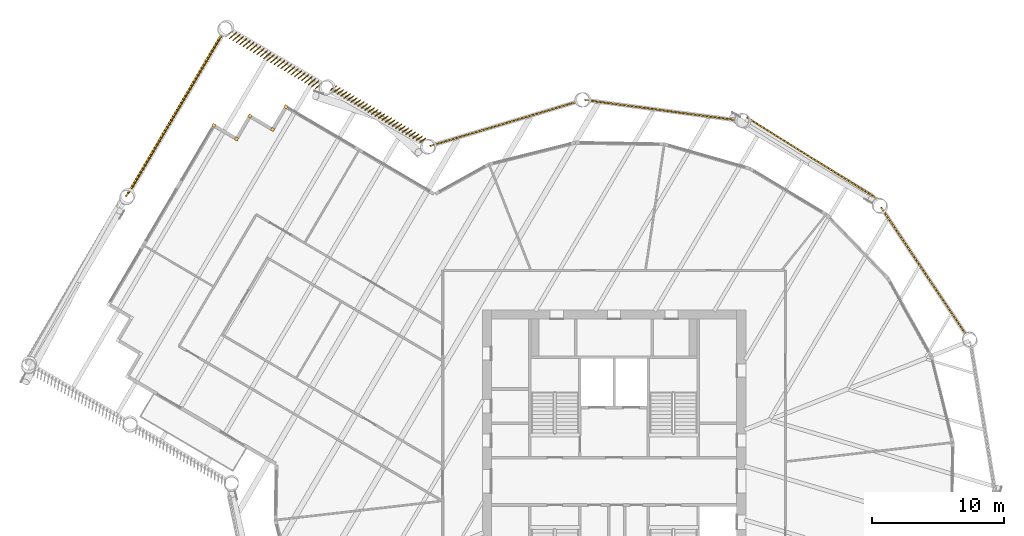
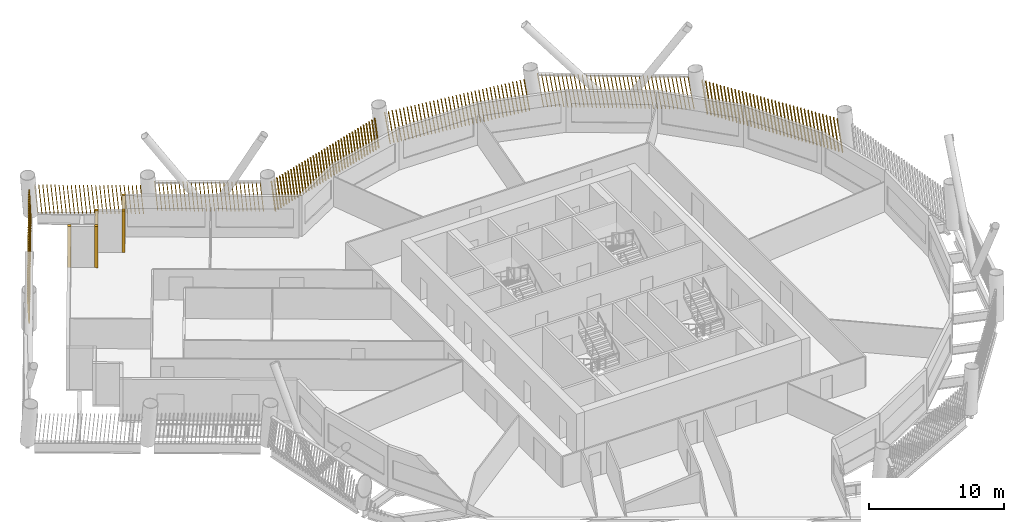
# One storey, part 22 of 23: 12 shading devices.
"""IFC4 building model written with IfcOpenShell, lengths in metres."""

import ifcopenshell
import ifcopenshell.guid

model = None  # the IFC model being written
_history = None  # IfcOwnerHistory: only IFC2X3 demands one
_inside = {}  # id of a spatial element -> (the spatial element, [elements in it])
_under = {}  # id of a project, library or spatial element -> (it, [spatial elements below it])
_declared = {}  # id of a project -> (the project, [libraries it declares])
_typed = {}  # id of a type object -> (the type object, [elements of that type])
_made_of = {}  # id of a material, layer set ... -> (it, [elements and type objects made of it])


def new_model(schema):
    """Start an empty IFC model of exactly this schema.

    Asked for "IFC4X3", IfcOpenShell would pick the latest addendum, in which some entities
    have other attributes; the version numbers below select the first issue.
    IFC2X3 requires an IfcOwnerHistory on every rooted entity: one is made here for all.
    """
    global model, _history
    if schema == "IFC4X3":
        model = ifcopenshell.file(schema_version=(4, 3, 0, 0))
    else:
        model = ifcopenshell.file(schema=schema)
    _inside.clear()
    _under.clear()
    _declared.clear()
    _typed.clear()
    _made_of.clear()
    _history = None
    if model.schema == "IFC2X3":
        org = make("IfcOrganization", Name="unknown")
        user = make(
            "IfcPersonAndOrganization",
            ThePerson=make("IfcPerson", FamilyName="unknown"),
            TheOrganization=org,
        )
        app = make(
            "IfcApplication",
            ApplicationDeveloper=org,
            Version="unknown",
            ApplicationFullName="unknown",
            ApplicationIdentifier="unknown",
        )
        _history = make(
            "IfcOwnerHistory",
            OwningUser=user,
            OwningApplication=app,
            ChangeAction="ADDED",
            CreationDate=0,
        )
    return model


def make(cls, **values):
    """One entity of the class cls with the attributes given. An attribute that is None is left unset."""
    return model.create_entity(
        cls, **{name: value for name, value in values.items() if value is not None}
    )


def rooted(cls, **values):
    """An entity with a GlobalId (a new one), such as an element, a storey or a relation."""
    return make(cls, GlobalId=ifcopenshell.guid.new(), OwnerHistory=_history, **values)


def si_unit(unit_type, name, prefix=None):
    """IfcSIUnit, for example si_unit("LENGTHUNIT", "METRE", prefix="MILLI")."""
    return make("IfcSIUnit", UnitType=unit_type, Prefix=prefix, Name=name)


def assignment(units):
    """IfcUnitAssignment: the units of a project."""
    return None if units is None else make("IfcUnitAssignment", Units=units)


def point(xyz):
    """IfcCartesianPoint."""
    return None if xyz is None else make("IfcCartesianPoint", Coordinates=xyz)


def direction(xyz):
    """IfcDirection."""
    return None if xyz is None else make("IfcDirection", DirectionRatios=xyz)


def frame(location, z_axis=None, x_axis=None):
    """IfcAxis2Placement3D, a coordinate frame: its origin and axes. An axis left out is left unset."""
    return make(
        "IfcAxis2Placement3D",
        Location=point(location),
        Axis=direction(z_axis),
        RefDirection=direction(x_axis),
    )


def frame_2d(location, x_axis=None):
    """IfcAxis2Placement2D, a coordinate frame in the plane: its origin and x axis."""
    return make(
        "IfcAxis2Placement2D", Location=point(location), RefDirection=direction(x_axis)
    )


def origin():
    """The frame at (0, 0, 0) with its axes left unset."""
    return frame((0.0, 0.0, 0.0))


def origin_2d():
    """The frame at (0, 0) in the plane with its x axis left unset."""
    return frame_2d((0.0, 0.0))


def place(relative_to, where):
    """IfcLocalPlacement: puts the frame where relative to a parent placement (None: the world)."""
    return make(
        "IfcLocalPlacement", PlacementRelTo=relative_to, RelativePlacement=where
    )


def context(
    kind, dimensions, precision=None, world=None, true_north=None, identifier=None
):
    """IfcGeometricRepresentationContext, for example the 3D "Model" context."""
    return make(
        "IfcGeometricRepresentationContext",
        ContextIdentifier=identifier,
        ContextType=kind,
        CoordinateSpaceDimension=dimensions,
        Precision=precision,
        WorldCoordinateSystem=world,
        TrueNorth=true_north,
    )


def subcontext(parent, identifier, kind, view, scale=None):
    """IfcGeometricRepresentationSubContext, for example "Body" below "Model"."""
    return make(
        "IfcGeometricRepresentationSubContext",
        ContextIdentifier=identifier,
        ContextType=kind,
        ParentContext=parent,
        TargetScale=scale,
        TargetView=view,
    )


def project(units=None, contexts=None):
    """IfcProject with its units and contexts."""
    return rooted(
        "IfcProject",
        Name="project",
        RepresentationContexts=contexts,
        UnitsInContext=assignment(units),
    )


def spatial(cls, under=None, at=None, **own):
    """A site, building, storey or space (cls), placed at a placement, below another one or the project."""
    s = rooted(cls, ObjectPlacement=at, **own)
    if under is not None:
        _under.setdefault(under.id(), (under, []))[1].append(s)
    return s


def profile(cls, at=None, kind="AREA", **sizes):
    """A parametric profile (cls). Its sizes go by their IFC names, for example OverallWidth=200.0."""
    return make(cls, ProfileType=kind, Position=at, **sizes)


def rectangle(**sizes):
    """IfcRectangleProfileDef."""
    return profile("IfcRectangleProfileDef", **sizes)


def composite_profile(profiles, kind="AREA"):
    """IfcCompositeProfileDef: several profiles as one."""
    return make("IfcCompositeProfileDef", ProfileType=kind, Profiles=profiles)


def extrude(swept, where, along, depth):
    """IfcExtrudedAreaSolid: the profile swept, set in the frame where, extruded along a direction by depth."""
    return make(
        "IfcExtrudedAreaSolid",
        SweptArea=swept,
        Position=where,
        ExtrudedDirection=direction(along),
        Depth=depth,
    )


def shape(context_of_items, identifier, shape_type, items):
    """IfcShapeRepresentation: the items that make up one representation, for example the "Body"."""
    return make(
        "IfcShapeRepresentation",
        ContextOfItems=context_of_items,
        RepresentationIdentifier=identifier,
        RepresentationType=shape_type,
        Items=items,
    )


def material(Name=None, Category=None):
    """IfcMaterial."""
    return make("IfcMaterial", Name=Name, Category=Category)


def made_of(thing, what):
    """Note that an element or type object is made of a material, layer set ...; save() writes the relation."""
    if what is not None:
        _made_of.setdefault(what.id(), (what, []))[1].append(thing)
    return thing


def type_object(cls, material=None, **own):
    """A type object (cls), such as IfcWallType, which elements share."""
    return made_of(rooted(cls, **own), material)


def element(
    cls,
    number,
    at=None,
    inside=None,
    cuts=None,
    type_object=None,
    material=None,
    context=None,
    identifier="Body",
    shape_type=None,
    held_by="IfcProductDefinitionShape",
    body=None,
    shapes=None,
    **own,
):
    """One element of the class cls, such as IfcWall. Its Tag is "e" and its number.

    at: its placement. inside: the storey or other place that contains it. cuts: it is an
    opening in that element (IfcRelVoidsElement). A single representation is given by context,
    identifier, shape_type and body (its items); several are given by shapes. held_by: the class
    of the entity that holds the representations. save() writes the other relations.
    """
    e = rooted(cls, Tag="e%d" % number, ObjectPlacement=at, **own)
    if body is not None:
        shapes = [shape(context, identifier, shape_type, body)]
    if shapes is not None:
        e.Representation = make(held_by, Representations=shapes)
    if inside is not None:
        _inside.setdefault(inside.id(), (inside, []))[1].append(e)
    if cuts is not None:
        rooted(
            "IfcRelVoidsElement", RelatingBuildingElement=cuts, RelatedOpeningElement=e
        )
    if type_object is not None:
        _typed.setdefault(type_object.id(), (type_object, []))[1].append(e)
    return made_of(e, material)


def aggregate(whole, parts):
    """IfcRelAggregates: a whole, such as a stair, and the parts it consists of."""
    return rooted("IfcRelAggregates", RelatingObject=whole, RelatedObjects=parts)


def save(model, path):
    """Write the relations noted so far, then the file.

    IfcRelAggregates (storeys below a building ...), IfcRelContainedInSpatialStructure (elements
    in a storey), IfcRelDefinesByType, IfcRelAssociatesMaterial and IfcRelDeclares: one each for
    every whole, place, type object, material and project.
    """
    for whole, parts in _under.values():
        aggregate(whole, parts)
    for where, things in _inside.values():
        rooted(
            "IfcRelContainedInSpatialStructure",
            RelatedElements=things,
            RelatingStructure=where,
        )
    for kind, things in _typed.values():
        rooted("IfcRelDefinesByType", RelatedObjects=things, RelatingType=kind)
    for what, things in _made_of.values():
        rooted("IfcRelAssociatesMaterial", RelatedObjects=things, RelatingMaterial=what)
    for by, libraries in _declared.values():
        rooted("IfcRelDeclares", RelatingContext=by, RelatedDefinitions=libraries)
    model.write(path)


model = new_model("IFC4")

# Units and contexts
model_context = context("Model", 3, precision=1e-05, world=origin(), true_north=direction((0.0, 1.0)))
body_context = subcontext(model_context, "Body", "Model", "MODEL_VIEW")
ifc_project = project(units=[si_unit("LENGTHUNIT", "METRE"), si_unit("AREAUNIT", "SQUARE_METRE"), si_unit("VOLUMEUNIT", "CUBIC_METRE"), si_unit("PLANEANGLEUNIT", "RADIAN"), si_unit("MASSUNIT", "GRAM", prefix="KILO")], contexts=[model_context])

# Site, building, storey
site_placement = place(None, origin())
site = spatial("IfcSite", under=ifc_project, at=site_placement, CompositionType="ELEMENT")
building_placement = place(site_placement, origin())
building = spatial("IfcBuilding", under=site, at=building_placement, Name="Tarsis Ring Headquarters", CompositionType="ELEMENT")
storey_placement = place(building_placement, frame((0.0, 0.0, 155.39990234375)))
storey = spatial("IfcBuildingStorey", under=building, at=storey_placement, Name="L35", CompositionType="ELEMENT", Elevation=155.39990234375)

# Shading devices
ifc_material = material(Name="Terracotta baguette", Category="masonry")
shading_device_type_1 = type_object("IfcShadingDeviceType", Name="Terracotta baguette screen", PredefinedType="USERDEFINED", material=ifc_material)
shading_device_1_placement = place(storey_placement, frame((26.7421875, 11.0810546875, 0.0), z_axis=(0.0, 0.0, 1.0), x_axis=(-0.554996093411, 0.831843041931, 0.0)))
element("IfcShadingDevice", 1, at=shading_device_1_placement, inside=storey, type_object=shading_device_type_1, Name="Baguette screen L35-11", ObjectType="Terracotta baguette screen", PredefinedType="USERDEFINED", context=body_context, shape_type="SweptSolid", body=[
    extrude(composite_profile([rectangle(XDim=0.06005859375, YDim=0.1201171875, at=frame_2d((0.030029296875, 0.0))), rectangle(XDim=0.06005859375, YDim=0.1201171875, at=frame_2d((0.33251953125, 0.0))), rectangle(XDim=0.06005859375, YDim=0.1201171875, at=frame_2d((0.634765625, 0.0))), rectangle(XDim=0.06005859375, YDim=0.1201171875, at=frame_2d((0.937255859375, 0.0))), rectangle(XDim=0.06005859375, YDim=0.1201171875, at=frame_2d((1.239501953125, 0.0))), rectangle(XDim=0.06005859375, YDim=0.1201171875, at=frame_2d((1.5419921875, 0.0))), rectangle(XDim=0.06005859375, YDim=0.1201171875, at=frame_2d((1.844482421875, 0.0))), rectangle(XDim=0.06005859375, YDim=0.1201171875, at=frame_2d((2.146728515625, 0.0))), rectangle(XDim=0.06005859375, YDim=0.1201171875, at=frame_2d((2.44921875, 0.0))), rectangle(XDim=0.06005859375, YDim=0.1201171875, at=frame_2d((2.751708984375, 0.0))), rectangle(XDim=0.06005859375, YDim=0.1201171875, at=frame_2d((3.053955078125, 0.0))), rectangle(XDim=0.06005859375, YDim=0.1201171875, at=frame_2d((3.3564453125, 0.0))), rectangle(XDim=0.06005859375, YDim=0.1201171875, at=frame_2d((3.65869140625, 0.0))), rectangle(XDim=0.06005859375, YDim=0.1201171875, at=frame_2d((3.961181640625, 0.0))), rectangle(XDim=0.06005859375, YDim=0.1201171875, at=frame_2d((4.263671875, 0.0))), rectangle(XDim=0.06005859375, YDim=0.1201171875, at=frame_2d((4.56591796875, 0.0))), rectangle(XDim=0.06005859375, YDim=0.1201171875, at=frame_2d((4.868408203125, 0.0))), rectangle(XDim=0.06005859375, YDim=0.1201171875, at=frame_2d((5.1708984375, 0.0))), rectangle(XDim=0.06005859375, YDim=0.1201171875, at=frame_2d((5.47314453125, 0.0))), rectangle(XDim=0.06005859375, YDim=0.1201171875, at=frame_2d((5.775634765625, 0.0))), rectangle(XDim=0.06005859375, YDim=0.1201171875, at=frame_2d((6.077880859375, 0.0))), rectangle(XDim=0.06005859375, YDim=0.1201171875, at=frame_2d((6.38037109375, 0.0))), rectangle(XDim=0.06005859375, YDim=0.1201171875, at=frame_2d((6.682861328125, 0.0))), rectangle(XDim=0.06005859375, YDim=0.1201171875, at=frame_2d((6.985107421875, 0.0))), rectangle(XDim=0.06005859375, YDim=0.1201171875, at=frame_2d((7.28759765625, 0.0))), rectangle(XDim=0.06005859375, YDim=0.1201171875, at=frame_2d((7.590087890625, 0.0))), rectangle(XDim=0.06005859375, YDim=0.1201171875, at=frame_2d((7.892333984375, 0.0))), rectangle(XDim=0.06005859375, YDim=0.1201171875, at=frame_2d((8.19482421875, 0.0))), rectangle(XDim=0.06005859375, YDim=0.1201171875, at=frame_2d((8.4970703125, 0.0))), rectangle(XDim=0.06005859375, YDim=0.1201171875, at=frame_2d((8.799560546875, 0.0))), rectangle(XDim=0.06005859375, YDim=0.1201171875, at=frame_2d((9.10205078125, 0.0))), rectangle(XDim=0.06005859375, YDim=0.1201171875, at=frame_2d((9.404296875, 0.0))), rectangle(XDim=0.06005859375, YDim=0.1201171875, at=frame_2d((9.706787109375, 0.0))), rectangle(XDim=0.06005859375, YDim=0.1201171875, at=frame_2d((10.00927734375, 0.0))), rectangle(XDim=0.06005859375, YDim=0.1201171875, at=frame_2d((10.3115234375, 0.0))), rectangle(XDim=0.06005859375, YDim=0.1201171875, at=frame_2d((10.614013671875, 0.0))), rectangle(XDim=0.06005859375, YDim=0.1201171875, at=frame_2d((10.916259765625, 0.0))), rectangle(XDim=0.06005859375, YDim=0.1201171875, at=frame_2d((11.21875, 0.0)))]), origin(), (0.149482462956, 0.001175602874, 0.988763678149), 2.983642578125),
])
shading_device_2_placement = place(storey_placement, frame((19.995849609375, 21.43701171875, 0.0), z_axis=(0.0, 0.0, 1.0), x_axis=(-0.848532858755, 0.529125792169, 0.0)))
element("IfcShadingDevice", 2, at=shading_device_2_placement, inside=storey, type_object=shading_device_type_1, Name="Baguette screen L35-12", ObjectType="Terracotta baguette screen", PredefinedType="USERDEFINED", context=body_context, shape_type="SweptSolid", body=[
    extrude(composite_profile([rectangle(XDim=0.06005859375, YDim=0.1201171875, at=frame_2d((0.030029296875, 0.0))), rectangle(XDim=0.06005859375, YDim=0.1201171875, at=frame_2d((0.33251953125, 0.0))), rectangle(XDim=0.06005859375, YDim=0.1201171875, at=frame_2d((0.634765625, 0.0))), rectangle(XDim=0.06005859375, YDim=0.1201171875, at=frame_2d((0.937255859375, 0.0))), rectangle(XDim=0.06005859375, YDim=0.1201171875, at=frame_2d((1.239501953125, 0.0))), rectangle(XDim=0.06005859375, YDim=0.1201171875, at=frame_2d((1.5419921875, 0.0))), rectangle(XDim=0.06005859375, YDim=0.1201171875, at=frame_2d((1.844482421875, 0.0))), rectangle(XDim=0.06005859375, YDim=0.1201171875, at=frame_2d((2.146728515625, 0.0))), rectangle(XDim=0.06005859375, YDim=0.1201171875, at=frame_2d((2.44921875, 0.0))), rectangle(XDim=0.06005859375, YDim=0.1201171875, at=frame_2d((2.751708984375, 0.0))), rectangle(XDim=0.06005859375, YDim=0.1201171875, at=frame_2d((3.053955078125, 0.0))), rectangle(XDim=0.06005859375, YDim=0.1201171875, at=frame_2d((3.3564453125, 0.0))), rectangle(XDim=0.06005859375, YDim=0.1201171875, at=frame_2d((3.65869140625, 0.0))), rectangle(XDim=0.06005859375, YDim=0.1201171875, at=frame_2d((3.961181640625, 0.0))), rectangle(XDim=0.06005859375, YDim=0.1201171875, at=frame_2d((4.263671875, 0.0))), rectangle(XDim=0.06005859375, YDim=0.1201171875, at=frame_2d((4.56591796875, 0.0))), rectangle(XDim=0.06005859375, YDim=0.1201171875, at=frame_2d((4.868408203125, 0.0))), rectangle(XDim=0.06005859375, YDim=0.1201171875, at=frame_2d((5.1708984375, 0.0))), rectangle(XDim=0.06005859375, YDim=0.1201171875, at=frame_2d((5.47314453125, 0.0))), rectangle(XDim=0.06005859375, YDim=0.1201171875, at=frame_2d((5.775634765625, 0.0))), rectangle(XDim=0.06005859375, YDim=0.1201171875, at=frame_2d((6.077880859375, 0.0))), rectangle(XDim=0.06005859375, YDim=0.1201171875, at=frame_2d((6.38037109375, 0.0))), rectangle(XDim=0.06005859375, YDim=0.1201171875, at=frame_2d((6.682861328125, 0.0))), rectangle(XDim=0.06005859375, YDim=0.1201171875, at=frame_2d((6.985107421875, 0.0))), rectangle(XDim=0.06005859375, YDim=0.1201171875, at=frame_2d((7.28759765625, 0.0))), rectangle(XDim=0.06005859375, YDim=0.1201171875, at=frame_2d((7.590087890625, 0.0))), rectangle(XDim=0.06005859375, YDim=0.1201171875, at=frame_2d((7.892333984375, 0.0))), rectangle(XDim=0.06005859375, YDim=0.1201171875, at=frame_2d((8.19482421875, 0.0))), rectangle(XDim=0.06005859375, YDim=0.1201171875, at=frame_2d((8.4970703125, 0.0))), rectangle(XDim=0.06005859375, YDim=0.1201171875, at=frame_2d((8.799560546875, 0.0))), rectangle(XDim=0.06005859375, YDim=0.1201171875, at=frame_2d((9.10205078125, 0.0))), rectangle(XDim=0.06005859375, YDim=0.1201171875, at=frame_2d((9.404296875, 0.0))), rectangle(XDim=0.06005859375, YDim=0.1201171875, at=frame_2d((9.706787109375, 0.0))), rectangle(XDim=0.06005859375, YDim=0.1201171875, at=frame_2d((10.00927734375, 0.0))), rectangle(XDim=0.06005859375, YDim=0.1201171875, at=frame_2d((10.3115234375, 0.0))), rectangle(XDim=0.06005859375, YDim=0.1201171875, at=frame_2d((10.614013671875, 0.0))), rectangle(XDim=0.06005859375, YDim=0.1201171875, at=frame_2d((10.916259765625, 0.0))), rectangle(XDim=0.06005859375, YDim=0.1201171875, at=frame_2d((11.21875, 0.0)))]), origin(), (0.151411379456, 0.001190520857, 0.988470119342), 2.984619140625),
])
shading_device_3_placement = place(storey_placement, frame((9.332275390625, 27.401611328125, 0.0), z_axis=(0.0, 0.0, 1.0), x_axis=(-0.991209983722, 0.132327726533, 0.0)))
element("IfcShadingDevice", 3, at=shading_device_3_placement, inside=storey, type_object=shading_device_type_1, Name="Baguette screen L35-13", ObjectType="Terracotta baguette screen", PredefinedType="USERDEFINED", context=body_context, shape_type="SweptSolid", body=[
    extrude(composite_profile([rectangle(XDim=0.06005859375, YDim=0.1201171875, at=frame_2d((0.030029296875, 0.0))), rectangle(XDim=0.06005859375, YDim=0.1201171875, at=frame_2d((0.33251953125, 0.0))), rectangle(XDim=0.06005859375, YDim=0.1201171875, at=frame_2d((0.634765625, 0.0))), rectangle(XDim=0.06005859375, YDim=0.1201171875, at=frame_2d((0.937255859375, 0.0))), rectangle(XDim=0.06005859375, YDim=0.1201171875, at=frame_2d((1.239501953125, 0.0))), rectangle(XDim=0.06005859375, YDim=0.1201171875, at=frame_2d((1.5419921875, 0.0))), rectangle(XDim=0.06005859375, YDim=0.1201171875, at=frame_2d((1.844482421875, 0.0))), rectangle(XDim=0.06005859375, YDim=0.1201171875, at=frame_2d((2.146728515625, 0.0))), rectangle(XDim=0.06005859375, YDim=0.1201171875, at=frame_2d((2.44921875, 0.0))), rectangle(XDim=0.06005859375, YDim=0.1201171875, at=frame_2d((2.751708984375, 0.0))), rectangle(XDim=0.06005859375, YDim=0.1201171875, at=frame_2d((3.053955078125, 0.0))), rectangle(XDim=0.06005859375, YDim=0.1201171875, at=frame_2d((3.3564453125, 0.0))), rectangle(XDim=0.06005859375, YDim=0.1201171875, at=frame_2d((3.65869140625, 0.0))), rectangle(XDim=0.06005859375, YDim=0.1201171875, at=frame_2d((3.961181640625, 0.0))), rectangle(XDim=0.06005859375, YDim=0.1201171875, at=frame_2d((4.263671875, 0.0))), rectangle(XDim=0.06005859375, YDim=0.1201171875, at=frame_2d((4.56591796875, 0.0))), rectangle(XDim=0.06005859375, YDim=0.1201171875, at=frame_2d((4.868408203125, 0.0))), rectangle(XDim=0.06005859375, YDim=0.1201171875, at=frame_2d((5.1708984375, 0.0))), rectangle(XDim=0.06005859375, YDim=0.1201171875, at=frame_2d((5.47314453125, 0.0))), rectangle(XDim=0.06005859375, YDim=0.1201171875, at=frame_2d((5.775634765625, 0.0))), rectangle(XDim=0.06005859375, YDim=0.1201171875, at=frame_2d((6.077880859375, 0.0))), rectangle(XDim=0.06005859375, YDim=0.1201171875, at=frame_2d((6.38037109375, 0.0))), rectangle(XDim=0.06005859375, YDim=0.1201171875, at=frame_2d((6.682861328125, 0.0))), rectangle(XDim=0.06005859375, YDim=0.1201171875, at=frame_2d((6.985107421875, 0.0))), rectangle(XDim=0.06005859375, YDim=0.1201171875, at=frame_2d((7.28759765625, 0.0))), rectangle(XDim=0.06005859375, YDim=0.1201171875, at=frame_2d((7.590087890625, 0.0))), rectangle(XDim=0.06005859375, YDim=0.1201171875, at=frame_2d((7.892333984375, 0.0))), rectangle(XDim=0.06005859375, YDim=0.1201171875, at=frame_2d((8.19482421875, 0.0))), rectangle(XDim=0.06005859375, YDim=0.1201171875, at=frame_2d((8.4970703125, 0.0))), rectangle(XDim=0.06005859375, YDim=0.1201171875, at=frame_2d((8.799560546875, 0.0))), rectangle(XDim=0.06005859375, YDim=0.1201171875, at=frame_2d((9.10205078125, 0.0))), rectangle(XDim=0.06005859375, YDim=0.1201171875, at=frame_2d((9.404296875, 0.0))), rectangle(XDim=0.06005859375, YDim=0.1201171875, at=frame_2d((9.706787109375, 0.0))), rectangle(XDim=0.06005859375, YDim=0.1201171875, at=frame_2d((10.00927734375, 0.0))), rectangle(XDim=0.06005859375, YDim=0.1201171875, at=frame_2d((10.3115234375, 0.0))), rectangle(XDim=0.06005859375, YDim=0.1201171875, at=frame_2d((10.614013671875, 0.0))), rectangle(XDim=0.06005859375, YDim=0.1201171875, at=frame_2d((10.916259765625, 0.0))), rectangle(XDim=0.06005859375, YDim=0.1201171875, at=frame_2d((11.21875, 0.0)))]), origin(), (0.149484152705, 0.001174732905, 0.988763423723), 2.983642578125),
])
shading_device_4_placement = place(storey_placement, frame((-2.7919921875, 28.812255859375, 0.0), z_axis=(0.0, 0.0, 1.0), x_axis=(-0.957634291915, -0.288008681498, 0.0)))
element("IfcShadingDevice", 4, at=shading_device_4_placement, inside=storey, type_object=shading_device_type_1, Name="Baguette screen L35-14", ObjectType="Terracotta baguette screen", PredefinedType="USERDEFINED", context=body_context, shape_type="SweptSolid", body=[
    extrude(composite_profile([rectangle(XDim=0.06005859375, YDim=0.1201171875, at=frame_2d((0.030029296875, 0.0))), rectangle(XDim=0.06005859375, YDim=0.1201171875, at=frame_2d((0.33251953125, 0.0))), rectangle(XDim=0.06005859375, YDim=0.1201171875, at=frame_2d((0.634765625, 0.0))), rectangle(XDim=0.06005859375, YDim=0.1201171875, at=frame_2d((0.937255859375, 0.0))), rectangle(XDim=0.06005859375, YDim=0.1201171875, at=frame_2d((1.239501953125, 0.0))), rectangle(XDim=0.06005859375, YDim=0.1201171875, at=frame_2d((1.5419921875, 0.0))), rectangle(XDim=0.06005859375, YDim=0.1201171875, at=frame_2d((1.844482421875, 0.0))), rectangle(XDim=0.06005859375, YDim=0.1201171875, at=frame_2d((2.146728515625, 0.0))), rectangle(XDim=0.06005859375, YDim=0.1201171875, at=frame_2d((2.44921875, 0.0))), rectangle(XDim=0.06005859375, YDim=0.1201171875, at=frame_2d((2.751708984375, 0.0))), rectangle(XDim=0.06005859375, YDim=0.1201171875, at=frame_2d((3.053955078125, 0.0))), rectangle(XDim=0.06005859375, YDim=0.1201171875, at=frame_2d((3.3564453125, 0.0))), rectangle(XDim=0.06005859375, YDim=0.1201171875, at=frame_2d((3.65869140625, 0.0))), rectangle(XDim=0.06005859375, YDim=0.1201171875, at=frame_2d((3.961181640625, 0.0))), rectangle(XDim=0.06005859375, YDim=0.1201171875, at=frame_2d((4.263671875, 0.0))), rectangle(XDim=0.06005859375, YDim=0.1201171875, at=frame_2d((4.56591796875, 0.0))), rectangle(XDim=0.06005859375, YDim=0.1201171875, at=frame_2d((4.868408203125, 0.0))), rectangle(XDim=0.06005859375, YDim=0.1201171875, at=frame_2d((5.1708984375, 0.0))), rectangle(XDim=0.06005859375, YDim=0.1201171875, at=frame_2d((5.47314453125, 0.0))), rectangle(XDim=0.06005859375, YDim=0.1201171875, at=frame_2d((5.775634765625, 0.0))), rectangle(XDim=0.06005859375, YDim=0.1201171875, at=frame_2d((6.077880859375, 0.0))), rectangle(XDim=0.06005859375, YDim=0.1201171875, at=frame_2d((6.38037109375, 0.0))), rectangle(XDim=0.06005859375, YDim=0.1201171875, at=frame_2d((6.682861328125, 0.0))), rectangle(XDim=0.06005859375, YDim=0.1201171875, at=frame_2d((6.985107421875, 0.0))), rectangle(XDim=0.06005859375, YDim=0.1201171875, at=frame_2d((7.28759765625, 0.0))), rectangle(XDim=0.06005859375, YDim=0.1201171875, at=frame_2d((7.590087890625, 0.0))), rectangle(XDim=0.06005859375, YDim=0.1201171875, at=frame_2d((7.892333984375, 0.0))), rectangle(XDim=0.06005859375, YDim=0.1201171875, at=frame_2d((8.19482421875, 0.0))), rectangle(XDim=0.06005859375, YDim=0.1201171875, at=frame_2d((8.4970703125, 0.0))), rectangle(XDim=0.06005859375, YDim=0.1201171875, at=frame_2d((8.799560546875, 0.0))), rectangle(XDim=0.06005859375, YDim=0.1201171875, at=frame_2d((9.10205078125, 0.0))), rectangle(XDim=0.06005859375, YDim=0.1201171875, at=frame_2d((9.404296875, 0.0))), rectangle(XDim=0.06005859375, YDim=0.1201171875, at=frame_2d((9.706787109375, 0.0))), rectangle(XDim=0.06005859375, YDim=0.1201171875, at=frame_2d((10.00927734375, 0.0))), rectangle(XDim=0.06005859375, YDim=0.1201171875, at=frame_2d((10.3115234375, 0.0))), rectangle(XDim=0.06005859375, YDim=0.1201171875, at=frame_2d((10.614013671875, 0.0))), rectangle(XDim=0.06005859375, YDim=0.1201171875, at=frame_2d((10.916259765625, 0.0))), rectangle(XDim=0.06005859375, YDim=0.1201171875, at=frame_2d((11.21875, 0.0)))]), origin(), (0.149484916549, 0.001174379999, 0.988763308662), 2.983642578125),
])
shading_device_5_placement = place(storey_placement, frame((-14.283935546875, 26.005126953125, 0.0), z_axis=(0.0, 0.0, 1.0), x_axis=(-0.861962432032, 0.506951309936, 0.0)))
element("IfcShadingDevice", 5, at=shading_device_5_placement, inside=storey, type_object=shading_device_type_1, Name="Baguette screen L35-15", ObjectType="Terracotta baguette screen", PredefinedType="USERDEFINED", context=body_context, shape_type="SweptSolid", body=[
    extrude(composite_profile([rectangle(XDim=0.06005859375, YDim=0.1201171875, at=frame_2d((0.030029296875, 0.0))), rectangle(XDim=0.06005859375, YDim=0.1201171875, at=frame_2d((0.33154296875, 0.0))), rectangle(XDim=0.06005859375, YDim=0.1201171875, at=frame_2d((0.63330078125, 0.0))), rectangle(XDim=0.06005859375, YDim=0.1201171875, at=frame_2d((0.934814453125, 0.0))), rectangle(XDim=0.06005859375, YDim=0.1201171875, at=frame_2d((1.236572265625, 0.0))), rectangle(XDim=0.06005859375, YDim=0.1201171875, at=frame_2d((1.5380859375, 0.0))), rectangle(XDim=0.06005859375, YDim=0.1201171875, at=frame_2d((1.83984375, 0.0))), rectangle(XDim=0.06005859375, YDim=0.1201171875, at=frame_2d((2.141357421875, 0.0))), rectangle(XDim=0.06005859375, YDim=0.1201171875, at=frame_2d((2.443115234375, 0.0))), rectangle(XDim=0.06005859375, YDim=0.1201171875, at=frame_2d((2.74462890625, 0.0))), rectangle(XDim=0.06005859375, YDim=0.1201171875, at=frame_2d((3.04638671875, 0.0))), rectangle(XDim=0.06005859375, YDim=0.1201171875, at=frame_2d((3.347900390625, 0.0))), rectangle(XDim=0.06005859375, YDim=0.1201171875, at=frame_2d((3.649658203125, 0.0))), rectangle(XDim=0.06005859375, YDim=0.1201171875, at=frame_2d((3.951171875, 0.0))), rectangle(XDim=0.06005859375, YDim=0.1201171875, at=frame_2d((4.252685546875, 0.0))), rectangle(XDim=0.06005859375, YDim=0.1201171875, at=frame_2d((4.554443359375, 0.0))), rectangle(XDim=0.06005859375, YDim=0.1201171875, at=frame_2d((4.85595703125, 0.0))), rectangle(XDim=0.06005859375, YDim=0.1201171875, at=frame_2d((5.15771484375, 0.0))), rectangle(XDim=0.06005859375, YDim=0.1201171875, at=frame_2d((5.459228515625, 0.0))), rectangle(XDim=0.06005859375, YDim=0.1201171875, at=frame_2d((5.760986328125, 0.0))), rectangle(XDim=0.06005859375, YDim=0.1201171875, at=frame_2d((6.0625, 0.0))), rectangle(XDim=0.06005859375, YDim=0.1201171875, at=frame_2d((6.3642578125, 0.0))), rectangle(XDim=0.06005859375, YDim=0.1201171875, at=frame_2d((6.665771484375, 0.0))), rectangle(XDim=0.06005859375, YDim=0.1201171875, at=frame_2d((6.967529296875, 0.0))), rectangle(XDim=0.06005859375, YDim=0.1201171875, at=frame_2d((7.26904296875, 0.0))), rectangle(XDim=0.06005859375, YDim=0.1201171875, at=frame_2d((7.57080078125, 0.0))), rectangle(XDim=0.06005859375, YDim=0.1201171875, at=frame_2d((7.872314453125, 0.0)))]), origin(), (0.078348936574, 0.155020724092, 0.984799481742), 2.995849609375),
])
shading_device_6_placement = place(storey_placement, frame((-22.147705078125, 30.19482421875, 0.0), z_axis=(0.0, 0.0, 1.0), x_axis=(-0.861989062934, 0.506936076868, 0.0)))
element("IfcShadingDevice", 6, at=shading_device_6_placement, inside=storey, type_object=shading_device_type_1, Name="Baguette screen L35-16", ObjectType="Terracotta baguette screen", PredefinedType="USERDEFINED", context=body_context, shape_type="SweptSolid", body=[
    extrude(composite_profile([rectangle(XDim=0.06005859375, YDim=0.1201171875, at=frame_2d((0.030029296875, 0.0))), rectangle(XDim=0.06005859375, YDim=0.1201171875, at=frame_2d((0.33154296875, 0.0))), rectangle(XDim=0.06005859375, YDim=0.1201171875, at=frame_2d((0.63330078125, 0.0))), rectangle(XDim=0.06005859375, YDim=0.1201171875, at=frame_2d((0.934814453125, 0.0))), rectangle(XDim=0.06005859375, YDim=0.1201171875, at=frame_2d((1.236572265625, 0.0))), rectangle(XDim=0.06005859375, YDim=0.1201171875, at=frame_2d((1.5380859375, 0.0))), rectangle(XDim=0.06005859375, YDim=0.1201171875, at=frame_2d((1.83984375, 0.0))), rectangle(XDim=0.06005859375, YDim=0.1201171875, at=frame_2d((2.141357421875, 0.0))), rectangle(XDim=0.06005859375, YDim=0.1201171875, at=frame_2d((2.443115234375, 0.0))), rectangle(XDim=0.06005859375, YDim=0.1201171875, at=frame_2d((2.74462890625, 0.0))), rectangle(XDim=0.06005859375, YDim=0.1201171875, at=frame_2d((3.04638671875, 0.0))), rectangle(XDim=0.06005859375, YDim=0.1201171875, at=frame_2d((3.347900390625, 0.0))), rectangle(XDim=0.06005859375, YDim=0.1201171875, at=frame_2d((3.649658203125, 0.0))), rectangle(XDim=0.06005859375, YDim=0.1201171875, at=frame_2d((3.951171875, 0.0))), rectangle(XDim=0.06005859375, YDim=0.1201171875, at=frame_2d((4.252685546875, 0.0))), rectangle(XDim=0.06005859375, YDim=0.1201171875, at=frame_2d((4.554443359375, 0.0))), rectangle(XDim=0.06005859375, YDim=0.1201171875, at=frame_2d((4.85595703125, 0.0))), rectangle(XDim=0.06005859375, YDim=0.1201171875, at=frame_2d((5.15771484375, 0.0))), rectangle(XDim=0.06005859375, YDim=0.1201171875, at=frame_2d((5.459228515625, 0.0))), rectangle(XDim=0.06005859375, YDim=0.1201171875, at=frame_2d((5.760986328125, 0.0))), rectangle(XDim=0.06005859375, YDim=0.1201171875, at=frame_2d((6.0625, 0.0))), rectangle(XDim=0.06005859375, YDim=0.1201171875, at=frame_2d((6.3642578125, 0.0))), rectangle(XDim=0.06005859375, YDim=0.1201171875, at=frame_2d((6.665771484375, 0.0))), rectangle(XDim=0.06005859375, YDim=0.1201171875, at=frame_2d((6.967529296875, 0.0))), rectangle(XDim=0.06005859375, YDim=0.1201171875, at=frame_2d((7.26904296875, 0.0))), rectangle(XDim=0.06005859375, YDim=0.1201171875, at=frame_2d((7.57080078125, 0.0))), rectangle(XDim=0.06005859375, YDim=0.1201171875, at=frame_2d((7.872314453125, 0.0)))]), origin(), (0.075410169351, 0.200059858598, 0.976877351225), 3.02001953125),
])
shading_device_7_placement = place(storey_placement, frame((-29.643798828125, 34.023193359375, 0.0), z_axis=(0.0, 0.0, 1.0), x_axis=(-0.506935107211, -0.861987828179, 0.0)))
element("IfcShadingDevice", 7, at=shading_device_7_placement, inside=storey, type_object=shading_device_type_1, Name="Baguette screen L35-17", ObjectType="Terracotta baguette screen", PredefinedType="USERDEFINED", context=body_context, shape_type="SweptSolid", body=[
    extrude(composite_profile([rectangle(XDim=0.06005859375, YDim=0.1201171875, at=frame_2d((0.030029296875, 0.0))), rectangle(XDim=0.06005859375, YDim=0.1201171875, at=frame_2d((0.33544921875, 0.0))), rectangle(XDim=0.06005859375, YDim=0.1201171875, at=frame_2d((0.640625, 0.0))), rectangle(XDim=0.06005859375, YDim=0.1201171875, at=frame_2d((0.946044921875, 0.0))), rectangle(XDim=0.06005859375, YDim=0.1201171875, at=frame_2d((1.25146484375, 0.0))), rectangle(XDim=0.06005859375, YDim=0.1201171875, at=frame_2d((1.556640625, 0.0))), rectangle(XDim=0.06005859375, YDim=0.1201171875, at=frame_2d((1.862060546875, 0.0))), rectangle(XDim=0.06005859375, YDim=0.1201171875, at=frame_2d((2.16748046875, 0.0))), rectangle(XDim=0.06005859375, YDim=0.1201171875, at=frame_2d((2.47265625, 0.0))), rectangle(XDim=0.06005859375, YDim=0.1201171875, at=frame_2d((2.778076171875, 0.0))), rectangle(XDim=0.06005859375, YDim=0.1201171875, at=frame_2d((3.08349609375, 0.0))), rectangle(XDim=0.06005859375, YDim=0.1201171875, at=frame_2d((3.388671875, 0.0))), rectangle(XDim=0.06005859375, YDim=0.1201171875, at=frame_2d((3.694091796875, 0.0))), rectangle(XDim=0.06005859375, YDim=0.1201171875, at=frame_2d((3.99951171875, 0.0))), rectangle(XDim=0.06005859375, YDim=0.1201171875, at=frame_2d((4.3046875, 0.0))), rectangle(XDim=0.06005859375, YDim=0.1201171875, at=frame_2d((4.610107421875, 0.0))), rectangle(XDim=0.06005859375, YDim=0.1201171875, at=frame_2d((4.91552734375, 0.0))), rectangle(XDim=0.06005859375, YDim=0.1201171875, at=frame_2d((5.220703125, 0.0))), rectangle(XDim=0.06005859375, YDim=0.1201171875, at=frame_2d((5.526123046875, 0.0))), rectangle(XDim=0.06005859375, YDim=0.1201171875, at=frame_2d((5.83154296875, 0.0))), rectangle(XDim=0.06005859375, YDim=0.1201171875, at=frame_2d((6.13671875, 0.0))), rectangle(XDim=0.06005859375, YDim=0.1201171875, at=frame_2d((6.442138671875, 0.0))), rectangle(XDim=0.06005859375, YDim=0.1201171875, at=frame_2d((6.74755859375, 0.0))), rectangle(XDim=0.06005859375, YDim=0.1201171875, at=frame_2d((7.052734375, 0.0))), rectangle(XDim=0.06005859375, YDim=0.1201171875, at=frame_2d((7.358154296875, 0.0))), rectangle(XDim=0.06005859375, YDim=0.1201171875, at=frame_2d((7.66357421875, 0.0))), rectangle(XDim=0.06005859375, YDim=0.1201171875, at=frame_2d((7.96875, 0.0))), rectangle(XDim=0.06005859375, YDim=0.1201171875, at=frame_2d((8.274169921875, 0.0))), rectangle(XDim=0.06005859375, YDim=0.1201171875, at=frame_2d((8.57958984375, 0.0))), rectangle(XDim=0.06005859375, YDim=0.1201171875, at=frame_2d((8.884765625, 0.0))), rectangle(XDim=0.06005859375, YDim=0.1201171875, at=frame_2d((9.190185546875, 0.0))), rectangle(XDim=0.06005859375, YDim=0.1201171875, at=frame_2d((9.49560546875, 0.0))), rectangle(XDim=0.06005859375, YDim=0.1201171875, at=frame_2d((9.80078125, 0.0))), rectangle(XDim=0.06005859375, YDim=0.1201171875, at=frame_2d((10.106201171875, 0.0))), rectangle(XDim=0.06005859375, YDim=0.1201171875, at=frame_2d((10.41162109375, 0.0))), rectangle(XDim=0.06005859375, YDim=0.1201171875, at=frame_2d((10.716796875, 0.0))), rectangle(XDim=0.06005859375, YDim=0.1201171875, at=frame_2d((11.022216796875, 0.0))), rectangle(XDim=0.06005859375, YDim=0.1201171875, at=frame_2d((11.32763671875, 0.0))), rectangle(XDim=0.06005859375, YDim=0.1201171875, at=frame_2d((11.6328125, 0.0))), rectangle(XDim=0.06005859375, YDim=0.1201171875, at=frame_2d((11.938232421875, 0.0))), rectangle(XDim=0.06005859375, YDim=0.1201171875, at=frame_2d((12.24365234375, 0.0))), rectangle(XDim=0.06005859375, YDim=0.1201171875, at=frame_2d((12.548828125, 0.0))), rectangle(XDim=0.06005859375, YDim=0.1201171875, at=frame_2d((12.854248046875, 0.0))), rectangle(XDim=0.06005859375, YDim=0.1201171875, at=frame_2d((13.15966796875, 0.0))), rectangle(XDim=0.06005859375, YDim=0.1201171875, at=frame_2d((13.46484375, 0.0))), rectangle(XDim=0.06005859375, YDim=0.1201171875, at=frame_2d((13.770263671875, 0.0)))]), origin(), (0.22231664579, -0.036642728231, 0.974285697048), 3.028076171875),
])
shading_device_type_2 = type_object("IfcShadingDeviceType", Name="Terracotta corner baguette 250x250", PredefinedType="USERDEFINED", material=ifc_material)
for number, where, z_axis, x_axis, name in (
    (8, (-24.90380859375, 28.42236328125, 0.0), (0.0, 0.0, 1.0), (-0.86198327906, 0.506936708694, 0.0), "Corner baguette L35-32"),
    (9, (-25.917724609375, 26.698486328125, 0.0), (0.0, 0.0, 1.0), (-0.506936452939, -0.861983429471, 0.0), "Corner baguette L35-33"),
    (10, (-27.6416015625, 27.71240234375, 0.0), (0.0, 0.0, 1.0), (-0.861983429471, 0.506936452939, 0.0), "Corner baguette L35-34"),
    (11, (-28.655517578125, 25.98828125, 0.0), (0.0, 0.0, 1.0), (-0.506936678605, -0.861983296755, 0.0), "Corner baguette L35-35"),
    (12, (-30.37939453125, 27.002197265625, 0.0), (0.0, 0.0, 1.0), (-0.861983208278, 0.50693682905, 0.0), "Corner baguette L35-36"),
):
    element("IfcShadingDevice", number, at=place(storey_placement, frame(where, z_axis=z_axis, x_axis=x_axis)), inside=storey, type_object=shading_device_type_2, Name=name, ObjectType="Terracotta corner baguette", PredefinedType="USERDEFINED", context=body_context, shape_type="SweptSolid", body=[
        extrude(rectangle(XDim=0.25, YDim=0.25, at=origin_2d()), origin(), (0.0, 0.0, 1.0), 3.739990234375),
    ])

save(model, "model.ifc")
